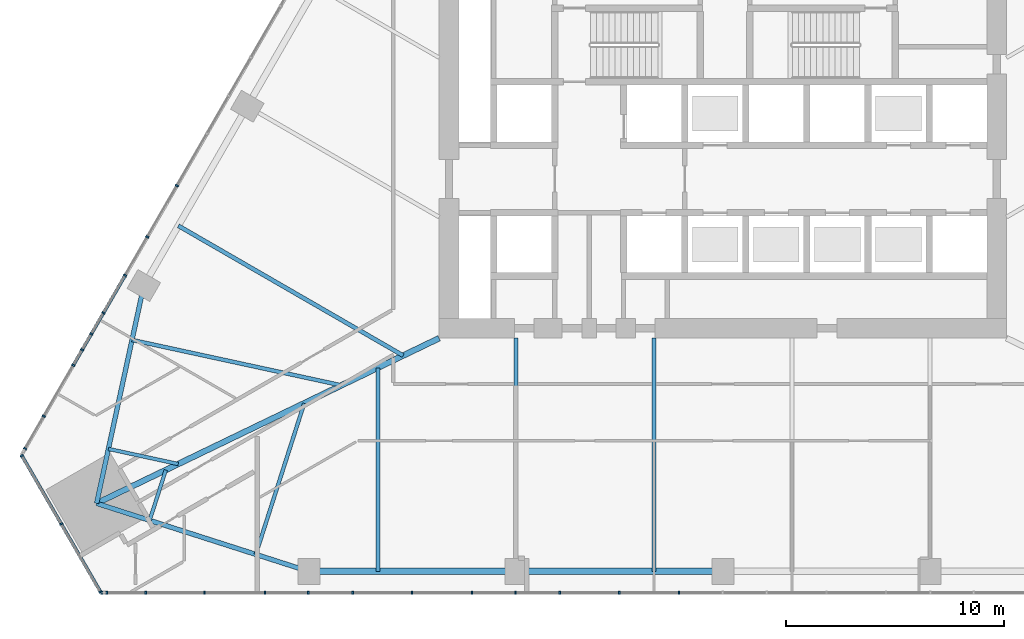
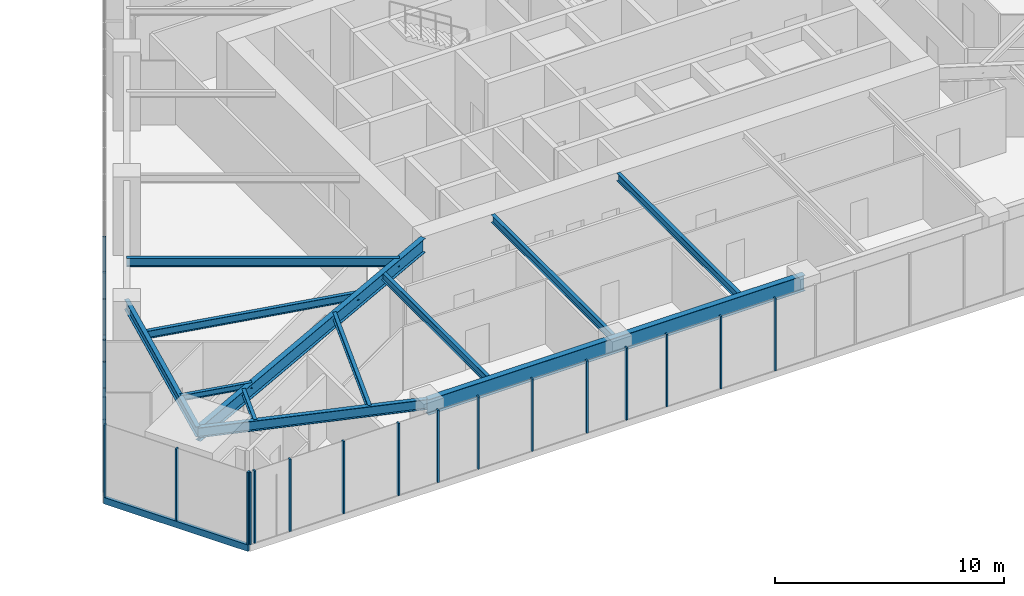
# One storey, part 2 of 26: 27 members, 12 beams, 3 elements without a shape of their own.
"""IFC4 building model written with IfcOpenShell, lengths in metres."""

from ifc_helpers import new_model, si_unit, direction, frame, origin, origin_2d, place, context, subcontext, project, spatial, rectangle, i_section, extrude, material, layer, layer_set, material_profile, profile_set, type_object, element, aggregate, save


model = new_model("IFC4")

# Units and contexts
model_context = context("Model", 3, precision=1e-05, world=origin(), true_north=direction((0.0, 1.0)))
body_context = subcontext(model_context, "Body", "Model", "MODEL_VIEW")
ifc_project = project(units=[si_unit("LENGTHUNIT", "METRE"), si_unit("AREAUNIT", "SQUARE_METRE"), si_unit("VOLUMEUNIT", "CUBIC_METRE"), si_unit("PLANEANGLEUNIT", "RADIAN"), si_unit("MASSUNIT", "GRAM", prefix="KILO")], contexts=[model_context])

# Site, building, storey
site_placement = place(None, origin())
site = spatial("IfcSite", under=ifc_project, at=site_placement, CompositionType="ELEMENT")
building_placement = place(site_placement, origin())
building = spatial("IfcBuilding", under=site, at=building_placement, Name="Firuza Gate Tower and Library", CompositionType="ELEMENT")
storey_placement = place(building_placement, frame((0.0, 0.0, 77.800048828125)))
storey = spatial("IfcBuildingStorey", under=building, at=storey_placement, Name="L17", CompositionType="ELEMENT", Elevation=77.800048828125)

# Curtain wall, members
ifc_material_1 = material(Name="Aluminium 6063-T6", Category="aluminium")
ifc_layer_1 = layer(ifc_material_1, 0.14990234375)
ifc_layer_set_1 = layer_set([ifc_layer_1], Name="Unitised curtain wall, offices")
curtain_wall_type_1 = type_object("IfcCurtainWallType", Name="Unitised curtain wall, offices", PredefinedType="NOTDEFINED", material=ifc_layer_set_1)
placement = place(storey_placement, origin())
curtain_wall_1 = element("IfcCurtainWall", 1, at=placement, inside=storey, type_object=curtain_wall_type_1, Name="CW1 L17 S face", PredefinedType="NOTDEFINED")
ifc_material_2 = material(Name="Aluminium 6063-T6", Category="aluminium")
ifc_material_profile_1 = material_profile(ifc_material_2, rectangle(XDim=0.14990234375, YDim=0.080078125, at=origin_2d()))
ifc_profile_set_1 = profile_set([ifc_material_profile_1], Name="Aluminium 6063-T6")
member_type_1 = type_object("IfcMemberType", Name="Curtain wall mullion 80x150", PredefinedType="MULLION", material=ifc_profile_set_1)
member_1_placement = place(storey_placement, frame((46.540771484375, 54.339111328125, 0.14990234375), z_axis=(0.0, 0.0, 1.0), x_axis=(0.0, 1.0, 0.0)))
member_1 = element("IfcMember", 2, at=member_1_placement, type_object=member_type_1, Name="Mullion", PredefinedType="MULLION", context=body_context, shape_type="SweptSolid", body=[
    extrude(rectangle(XDim=0.14990234375, YDim=0.080078125, at=origin_2d()), origin(), (0.0, 0.0, 1.0), 3.85009765625),
])
member_2_placement = place(storey_placement, frame((51.250732421875, 54.339111328125, 0.14990234375), z_axis=(0.0, 0.0, 1.0), x_axis=(0.0, 1.0, 0.0)))
member_2 = element("IfcMember", 3, at=member_2_placement, type_object=member_type_1, Name="Mullion", PredefinedType="MULLION", context=body_context, shape_type="SweptSolid", body=[
    extrude(rectangle(XDim=0.14990234375, YDim=0.080078125, at=origin_2d()), origin(), (0.0, 0.0, 1.0), 3.85009765625),
])
member_3_placement = place(storey_placement, frame((56.00048828125, 54.339111328125, 0.14990234375), z_axis=(0.0, 0.0, 1.0), x_axis=(0.0, 1.0, 0.0)))
member_3 = element("IfcMember", 4, at=member_3_placement, type_object=member_type_1, Name="Mullion", PredefinedType="MULLION", context=body_context, shape_type="SweptSolid", body=[
    extrude(rectangle(XDim=0.14990234375, YDim=0.080078125, at=origin_2d()), origin(), (0.0, 0.0, 1.0), 3.85009765625),
])
member_4_placement = place(storey_placement, frame((60.75048828125, 54.339111328125, 0.14990234375), z_axis=(0.0, 0.0, 1.0), x_axis=(0.0, 1.0, 0.0)))
member_4 = element("IfcMember", 5, at=member_4_placement, type_object=member_type_1, Name="Mullion", PredefinedType="MULLION", context=body_context, shape_type="SweptSolid", body=[
    extrude(rectangle(XDim=0.14990234375, YDim=0.080078125, at=origin_2d()), origin(), (0.0, 0.0, 1.0), 3.85009765625),
])
member_5_placement = place(storey_placement, frame((65.500244140625, 54.339111328125, 0.14990234375), z_axis=(0.0, 0.0, 1.0), x_axis=(0.0, 1.0, 0.0)))
member_5 = element("IfcMember", 6, at=member_5_placement, type_object=member_type_1, Name="Mullion", PredefinedType="MULLION", context=body_context, shape_type="SweptSolid", body=[
    extrude(rectangle(XDim=0.14990234375, YDim=0.080078125, at=origin_2d()), origin(), (0.0, 0.0, 1.0), 3.85009765625),
])
member_6_placement = place(storey_placement, frame((70.250244140625, 54.339111328125, 0.14990234375), z_axis=(0.0, 0.0, 1.0), x_axis=(0.0, 1.0, 0.0)))
member_6 = element("IfcMember", 7, at=member_6_placement, type_object=member_type_1, Name="Mullion", PredefinedType="MULLION", context=body_context, shape_type="SweptSolid", body=[
    extrude(rectangle(XDim=0.14990234375, YDim=0.080078125, at=origin_2d()), origin(), (0.0, 0.0, 1.0), 3.85009765625),
])
member_7_placement = place(storey_placement, frame((46.766845703125, 54.339111328125, 0.14990234375), z_axis=(0.0, 0.0, 1.0), x_axis=(0.0, 1.0, 0.0)))
member_7 = element("IfcMember", 8, at=member_7_placement, type_object=member_type_1, Name="Mullion", PredefinedType="MULLION", context=body_context, shape_type="SweptSolid", body=[
    extrude(rectangle(XDim=0.14990234375, YDim=0.080078125, at=origin_2d()), origin(), (0.0, 0.0, 1.0), 3.85009765625),
])
member_8_placement = place(storey_placement, frame((48.55322265625, 54.339111328125, 0.14990234375), z_axis=(0.0, 0.0, 1.0), x_axis=(0.0, 1.0, 0.0)))
member_8 = element("IfcMember", 9, at=member_8_placement, type_object=member_type_1, Name="Mullion", PredefinedType="MULLION", context=body_context, shape_type="SweptSolid", body=[
    extrude(rectangle(XDim=0.14990234375, YDim=0.080078125, at=origin_2d()), origin(), (0.0, 0.0, 1.0), 3.85009765625),
])
member_9_placement = place(storey_placement, frame((54.020263671875, 54.339111328125, 0.14990234375), z_axis=(0.0, 0.0, 1.0), x_axis=(0.0, 1.0, 0.0)))
member_9 = element("IfcMember", 10, at=member_9_placement, type_object=member_type_1, Name="Mullion", PredefinedType="MULLION", context=body_context, shape_type="SweptSolid", body=[
    extrude(rectangle(XDim=0.14990234375, YDim=0.080078125, at=origin_2d()), origin(), (0.0, 0.0, 1.0), 3.85009765625),
])
member_10_placement = place(storey_placement, frame((58.03857421875, 54.339111328125, 0.14990234375), z_axis=(0.0, 0.0, 1.0), x_axis=(0.0, 1.0, 0.0)))
member_10 = element("IfcMember", 11, at=member_10_placement, type_object=member_type_1, Name="Mullion", PredefinedType="MULLION", context=body_context, shape_type="SweptSolid", body=[
    extrude(rectangle(XDim=0.14990234375, YDim=0.080078125, at=origin_2d()), origin(), (0.0, 0.0, 1.0), 3.85009765625),
])
member_11_placement = place(storey_placement, frame((63.505615234375, 54.339111328125, 0.14990234375), z_axis=(0.0, 0.0, 1.0), x_axis=(0.0, 1.0, 0.0)))
member_11 = element("IfcMember", 12, at=member_11_placement, type_object=member_type_1, Name="Mullion", PredefinedType="MULLION", context=body_context, shape_type="SweptSolid", body=[
    extrude(rectangle(XDim=0.14990234375, YDim=0.080078125, at=origin_2d()), origin(), (0.0, 0.0, 1.0), 3.85009765625),
])
member_12_placement = place(storey_placement, frame((67.523681640625, 54.339111328125, 0.14990234375), z_axis=(0.0, 0.0, 1.0), x_axis=(0.0, 1.0, 0.0)))
member_12 = element("IfcMember", 13, at=member_12_placement, type_object=member_type_1, Name="Mullion", PredefinedType="MULLION", context=body_context, shape_type="SweptSolid", body=[
    extrude(rectangle(XDim=0.14990234375, YDim=0.080078125, at=origin_2d()), origin(), (0.0, 0.0, 1.0), 3.85009765625),
])
member_13_placement = place(storey_placement, frame((72.990966796875, 54.339111328125, 0.14990234375), z_axis=(0.0, 0.0, 1.0), x_axis=(0.0, 1.0, 0.0)))
member_13 = element("IfcMember", 14, at=member_13_placement, type_object=member_type_1, Name="Mullion", PredefinedType="MULLION", context=body_context, shape_type="SweptSolid", body=[
    extrude(rectangle(XDim=0.14990234375, YDim=0.080078125, at=origin_2d()), origin(), (0.0, 0.0, 1.0), 3.85009765625),
])
aggregate(curtain_wall_1, [member_1, member_2, member_3, member_4, member_5, member_6, member_7, member_8, member_9, member_10, member_11, member_12, member_13])

curtain_wall_2 = element("IfcCurtainWall", 15, at=placement, inside=storey, type_object=curtain_wall_type_1, Name="CW1 L17 W face", PredefinedType="NOTDEFINED")
member_14_placement = place(storey_placement, frame((49.982177734375, 72.989990234375, 0.14990234375), z_axis=(0.0, 0.0, 1.0), x_axis=(0.866025403784, -0.5, 0.0)))
member_14 = element("IfcMember", 16, at=member_14_placement, type_object=member_type_1, Name="Mullion", PredefinedType="MULLION", context=body_context, shape_type="SweptSolid", body=[
    extrude(rectangle(XDim=0.14990234375, YDim=0.080078125, at=origin_2d()), origin(), (0.0, 0.0, 1.0), 3.85009765625),
])
member_15_placement = place(storey_placement, frame((47.607421875, 68.87646484375, 0.14990234375), z_axis=(0.0, 0.0, 1.0), x_axis=(0.866025403784, -0.5, 0.0)))
member_15 = element("IfcMember", 17, at=member_15_placement, type_object=member_type_1, Name="Mullion", PredefinedType="MULLION", context=body_context, shape_type="SweptSolid", body=[
    extrude(rectangle(XDim=0.14990234375, YDim=0.080078125, at=origin_2d()), origin(), (0.0, 0.0, 1.0), 3.85009765625),
])
member_16_placement = place(storey_placement, frame((45.232421875, 64.762939453125, 0.14990234375), z_axis=(0.0, 0.0, 1.0), x_axis=(0.866025403784, -0.5, 0.0)))
member_16 = element("IfcMember", 18, at=member_16_placement, type_object=member_type_1, Name="Mullion", PredefinedType="MULLION", context=body_context, shape_type="SweptSolid", body=[
    extrude(rectangle(XDim=0.14990234375, YDim=0.080078125, at=origin_2d()), origin(), (0.0, 0.0, 1.0), 3.85009765625),
])
member_17_placement = place(storey_placement, frame((48.626220703125, 70.641357421875, 0.14990234375), z_axis=(0.0, 0.0, 1.0), x_axis=(0.866025403784, -0.5, 0.0)))
member_17 = element("IfcMember", 19, at=member_17_placement, type_object=member_type_1, Name="Mullion", PredefinedType="MULLION", context=body_context, shape_type="SweptSolid", body=[
    extrude(rectangle(XDim=0.14990234375, YDim=0.080078125, at=origin_2d()), origin(), (0.0, 0.0, 1.0), 3.85009765625),
])
member_18_placement = place(storey_placement, frame((46.6171875, 67.16162109375, 0.14990234375), z_axis=(0.0, 0.0, 1.0), x_axis=(0.866025403784, -0.5, 0.0)))
member_18 = element("IfcMember", 20, at=member_18_placement, type_object=member_type_1, Name="Mullion", PredefinedType="MULLION", context=body_context, shape_type="SweptSolid", body=[
    extrude(rectangle(XDim=0.14990234375, YDim=0.080078125, at=origin_2d()), origin(), (0.0, 0.0, 1.0), 1.885009765625),
])
member_19_placement = place(storey_placement, frame((45.63818359375, 65.4658203125, 0.14990234375), z_axis=(0.0, 0.0, 1.0), x_axis=(0.866025403784, -0.5, 0.0)))
member_19 = element("IfcMember", 21, at=member_19_placement, type_object=member_type_1, Name="Mullion", PredefinedType="MULLION", context=body_context, shape_type="SweptSolid", body=[
    extrude(rectangle(XDim=0.14990234375, YDim=0.080078125, at=origin_2d()), origin(), (0.0, 0.0, 1.0), 1.885009765625),
])
member_20_placement = place(storey_placement, frame((46.0625, 66.20068359375, 2.114990234375), z_axis=(0.0, 0.0, 1.0), x_axis=(0.866025403784, -0.5, 0.0)))
member_20 = element("IfcMember", 22, at=member_20_placement, type_object=member_type_1, Name="Mullion", PredefinedType="MULLION", context=body_context, shape_type="SweptSolid", body=[
    extrude(rectangle(XDim=0.14990234375, YDim=0.080078125, at=origin_2d()), origin(), (0.0, 0.0, 1.0), 1.885009765625),
])
member_21_placement = place(storey_placement, frame((43.8837890625, 62.4267578125, 0.14990234375), z_axis=(0.0, 0.0, 1.0), x_axis=(0.866025403784, -0.5, 0.0)))
member_21 = element("IfcMember", 23, at=member_21_placement, type_object=member_type_1, Name="Mullion", PredefinedType="MULLION", context=body_context, shape_type="SweptSolid", body=[
    extrude(rectangle(XDim=0.14990234375, YDim=0.080078125, at=origin_2d()), origin(), (0.0, 0.0, 1.0), 3.85009765625),
])
member_22_placement = place(storey_placement, frame((43.023193359375, 60.936279296875, 0.14990234375), z_axis=(0.0, 0.0, 1.0), x_axis=(0.866025403784, -0.5, 0.0)))
member_22 = element("IfcMember", 24, at=member_22_placement, type_object=member_type_1, Name="Mullion", PredefinedType="MULLION", context=body_context, shape_type="SweptSolid", body=[
    extrude(rectangle(XDim=0.14990234375, YDim=0.080078125, at=origin_2d()), origin(), (0.0, 0.0, 1.0), 3.85009765625),
])

ifc_material_3 = material(Name="Aluminium 6063-T6", Category="aluminium")
ifc_layer_2 = layer(ifc_material_3, 0.14990234375)
ifc_layer_set_2 = layer_set([ifc_layer_2], Name="Corner curtain wall, chamfers")
curtain_wall_type_2 = type_object("IfcCurtainWallType", Name="Corner curtain wall, chamfers", PredefinedType="NOTDEFINED", material=ifc_layer_set_2)
curtain_wall_3 = element("IfcCurtainWall", 25, at=placement, inside=storey, type_object=curtain_wall_type_2, Name="CW4 L17 SW corner", PredefinedType="NOTDEFINED")
member_23_placement = place(storey_placement, frame((42.87744140625, 60.61474609375, 0.14990234375), z_axis=(0.0, 0.0, 1.0), x_axis=(0.866025403784, 0.5, 0.0)))
member_23 = element("IfcMember", 26, at=member_23_placement, type_object=member_type_1, Name="Mullion", PredefinedType="MULLION", context=body_context, shape_type="SweptSolid", body=[
    extrude(rectangle(XDim=0.14990234375, YDim=0.080078125, at=origin_2d()), origin(), (0.0, 0.0, 1.0), 3.85009765625),
])
member_24_placement = place(storey_placement, frame((44.67919921875, 57.494140625, 0.14990234375), z_axis=(0.0, 0.0, 1.0), x_axis=(0.866025403784, 0.5, 0.0)))
member_24 = element("IfcMember", 27, at=member_24_placement, type_object=member_type_1, Name="Mullion", PredefinedType="MULLION", context=body_context, shape_type="SweptSolid", body=[
    extrude(rectangle(XDim=0.14990234375, YDim=0.080078125, at=origin_2d()), origin(), (0.0, 0.0, 1.0), 3.85009765625),
])
member_25_placement = place(storey_placement, frame((46.480712890625, 54.373779296875, 0.14990234375), z_axis=(0.0, 0.0, 1.0), x_axis=(0.866025403784, 0.5, 0.0)))
member_25 = element("IfcMember", 28, at=member_25_placement, type_object=member_type_1, Name="Mullion", PredefinedType="MULLION", context=body_context, shape_type="SweptSolid", body=[
    extrude(rectangle(XDim=0.14990234375, YDim=0.080078125, at=origin_2d()), origin(), (0.0, 0.0, 1.0), 3.85009765625),
])
ifc_material_4 = material(Name="Aluminium 6063-T6", Category="aluminium")
ifc_material_profile_2 = material_profile(ifc_material_4, rectangle(XDim=0.14990234375, YDim=0.35009765625, at=origin_2d()))
ifc_profile_set_2 = profile_set([ifc_material_profile_2], Name="Aluminium 6063-T6")
member_type_2 = type_object("IfcMemberType", Name="Curtain wall transom 350x150", PredefinedType="USERDEFINED", material=ifc_profile_set_2)
member_26_placement = place(storey_placement, frame((42.857421875, 60.6494140625, -0.025146484375), z_axis=(0.500005719219, -0.866022101766, 0.0), x_axis=(0.866022101766, 0.500005719219, 0.0)))
member_26 = element("IfcMember", 29, at=member_26_placement, type_object=member_type_2, Name="Transom", ObjectType="TRANSOM", PredefinedType="USERDEFINED", context=body_context, shape_type="SweptSolid", body=[
    extrude(rectangle(XDim=0.14990234375, YDim=0.35009765625, at=origin_2d()), origin(), (0.0, 0.0, 1.0), 7.28662109375),
])
aggregate(curtain_wall_3, [member_23, member_24, member_25, member_26])

# Member
ifc_material_5 = material(Name="Aluminium 6063-T6", Category="aluminium")
ifc_material_profile_3 = material_profile(ifc_material_5, rectangle(XDim=0.14990234375, YDim=0.080078125, at=origin_2d()))
ifc_profile_set_3 = profile_set([ifc_material_profile_3], Name="Aluminium 6063-T6")
member_type_3 = type_object("IfcMemberType", Name="Curtain wall transom 80x150", PredefinedType="USERDEFINED", material=ifc_profile_set_3)
member_27_placement = place(storey_placement, frame((47.58740234375, 68.841796875, 2.074951171875), z_axis=(-0.500007559336, -0.866021039356, 0.0), x_axis=(0.866021039356, -0.500007559336, 0.0)))
member_27 = element("IfcMember", 30, at=member_27_placement, type_object=member_type_3, Name="Transom", ObjectType="TRANSOM", PredefinedType="USERDEFINED", context=body_context, shape_type="SweptSolid", body=[
    extrude(rectangle(XDim=0.14990234375, YDim=0.080078125, at=origin_2d()), origin(), (0.0, 0.0, 1.0), 4.669921875),
])

aggregate(curtain_wall_2, [member_14, member_15, member_16, member_17, member_18, member_19, member_20, member_27, member_21, member_22])

# Beams
ifc_material_6 = material(Name="Steel S355", Category="steel")
ifc_material_profile_4 = material_profile(ifc_material_6, i_section(OverallWidth=0.1650390625, OverallDepth=0.31005859375, WebThickness=0.005859375, FlangeThickness=0.009765625, at=origin_2d()))
ifc_profile_set_4 = profile_set([ifc_material_profile_4], Name="Steel S355")
beam_type_1 = type_object("IfcBeamType", Name="W310x39 Floor beam", PredefinedType="JOIST", material=ifc_profile_set_4)
beam_1_placement = place(storey_placement, frame((46.84375, 60.92724609375, 3.844970703125), z_axis=(0.97732159581, -0.211760474035, 0.0), x_axis=(0.211760474035, 0.97732159581, 0.0)))
element("IfcBeam", 31, at=beam_1_placement, inside=storey, type_object=beam_type_1, Name="Floor beam L17 s01", PredefinedType="JOIST", context=body_context, shape_type="SweptSolid", body=[
    extrude(i_section(OverallWidth=0.1650390625, OverallDepth=0.31005859375, WebThickness=0.005859375, FlangeThickness=0.009765625, at=origin_2d()), origin(), (0.0, 0.0, 1.0), 3.27197265625),
])
beam_2_placement = place(storey_placement, frame((48.734619140625, 57.65234375, 3.844970703125), z_axis=(0.305239756839, 0.952275533049, 0.0), x_axis=(-0.952275533049, 0.305239756839, 0.0)))
element("IfcBeam", 32, at=beam_2_placement, inside=storey, type_object=beam_type_1, Name="Floor beam L17 s10", PredefinedType="JOIST", context=body_context, shape_type="SweptSolid", body=[
    extrude(i_section(OverallWidth=0.1650390625, OverallDepth=0.31005859375, WebThickness=0.005859375, FlangeThickness=0.009765625, at=origin_2d()), origin(), (0.0, 0.0, 1.0), 2.42431640625),
])
ifc_material_7 = material(Name="Steel S355", Category="steel")
ifc_material_profile_5 = material_profile(ifc_material_7, i_section(OverallWidth=0.1708984375, OverallDepth=0.35498046875, WebThickness=0.007080078125, FlangeThickness=0.01171875, at=origin_2d()))
ifc_profile_set_5 = profile_set([ifc_material_profile_5], Name="Steel S355")
beam_type_2 = type_object("IfcBeamType", Name="W360x51 Floor beam", PredefinedType="JOIST", material=ifc_profile_set_5)
beam_3_placement = place(storey_placement, frame((53.597900390625, 56.093505859375, 3.822509765625), z_axis=(0.305239756839, 0.952275533049, 0.0), x_axis=(-0.952275533049, 0.305239756839, 0.0)))
element("IfcBeam", 33, at=beam_3_placement, inside=storey, type_object=beam_type_2, Name="Floor beam L17 s11", PredefinedType="JOIST", context=body_context, shape_type="SweptSolid", body=[
    extrude(i_section(OverallWidth=0.1708984375, OverallDepth=0.35498046875, WebThickness=0.007080078125, FlangeThickness=0.01171875, at=origin_2d()), origin(), (0.0, 0.0, 1.0), 7.27294921875),
])
ifc_material_8 = material(Name="Steel S355", Category="steel")
ifc_material_profile_6 = material_profile(ifc_material_8, i_section(OverallWidth=0.177978515625, OverallDepth=0.406982421875, WebThickness=0.0078125, FlangeThickness=0.0126953125, at=origin_2d()))
ifc_profile_set_6 = profile_set([ifc_material_profile_6], Name="Steel S355")
beam_type_3 = type_object("IfcBeamType", Name="W410x60 Floor beam", PredefinedType="JOIST", material=ifc_profile_set_6)
beam_4_placement = place(storey_placement, frame((47.92529296875, 65.91845703125, 3.79638671875), z_axis=(0.9773124156, -0.211802838306, 0.0), x_axis=(0.211802838306, 0.9773124156, 0.0)))
element("IfcBeam", 34, at=beam_4_placement, inside=storey, type_object=beam_type_3, Name="Floor beam L17 s00", PredefinedType="JOIST", context=body_context, shape_type="SweptSolid", body=[
    extrude(i_section(OverallWidth=0.177978515625, OverallDepth=0.406982421875, WebThickness=0.0078125, FlangeThickness=0.0126953125, at=origin_2d()), origin(), (0.0, 0.0, 1.0), 9.816162109375),
])
beam_5_placement = place(storey_placement, frame((59.191162109375, 55.31396484375, 3.79638671875), z_axis=(0.0, 1.0, 0.0), x_axis=(-1.0, 0.0, 0.0)))
element("IfcBeam", 35, at=beam_5_placement, inside=storey, type_object=beam_type_3, Name="Floor beam L17 s20", PredefinedType="JOIST", context=body_context, shape_type="SweptSolid", body=[
    extrude(i_section(OverallWidth=0.177978515625, OverallDepth=0.406982421875, WebThickness=0.0078125, FlangeThickness=0.0126953125, at=origin_2d()), origin(), (0.0, 0.0, 1.0), 9.331787109375),
])
for number, where, z_axis, x_axis, name in (
    (36, (65.5146484375, 55.31396484375, 3.79638671875), (0.0, 1.0, 0.0), (-1.0, 0.0, 0.0), "Floor beam L17 s21"),
    (37, (71.838134765625, 55.31396484375, 3.79638671875), (0.0, 1.0, 0.0), (-1.0, 0.0, 0.0), "Floor beam L17 s22"),
):
    element("IfcBeam", number, at=place(storey_placement, frame(where, z_axis=z_axis, x_axis=x_axis)), inside=storey, type_object=beam_type_3, Name=name, PredefinedType="JOIST", context=body_context, shape_type="SweptSolid", body=[
        extrude(i_section(OverallWidth=0.177978515625, OverallDepth=0.406982421875, WebThickness=0.0078125, FlangeThickness=0.0126953125, at=origin_2d()), origin(), (0.0, 0.0, 1.0), 10.68603515625),
    ])
ifc_material_9 = material(Name="Steel S355", Category="steel")
ifc_material_profile_7 = material_profile(ifc_material_9, i_section(OverallWidth=0.18994140625, OverallDepth=0.45703125, WebThickness=0.009033203125, FlangeThickness=0.014404296875, at=origin_2d()))
ifc_profile_set_7 = profile_set([ifc_material_profile_7], Name="Steel S355")
beam_type_4 = type_object("IfcBeamType", Name="W460x74 Floor beam", PredefinedType="JOIST", material=ifc_profile_set_7)
beam_6_placement = place(storey_placement, frame((50.047119140625, 71.152099609375, 3.771484375), z_axis=(0.866025640697, -0.499999589656, 0.0), x_axis=(0.499999589656, 0.866025640697, 0.0)))
element("IfcBeam", 38, at=beam_6_placement, inside=storey, type_object=beam_type_4, Name="Floor beam L17 s85", PredefinedType="JOIST", context=body_context, shape_type="SweptSolid", body=[
    extrude(i_section(OverallWidth=0.18994140625, OverallDepth=0.45703125, WebThickness=0.009033203125, FlangeThickness=0.014404296875, at=origin_2d()), origin(), (0.0, 0.0, 1.0), 11.89599609375),
])
ifc_material_10 = material(Name="Steel S355", Category="steel")
ifc_material_profile_8 = material_profile(ifc_material_10, i_section(OverallWidth=0.212890625, OverallDepth=0.5390625, WebThickness=0.01171875, FlangeThickness=0.018798828125, at=origin_2d()))
ifc_profile_set_8 = profile_set([ifc_material_profile_8], Name="Steel S355")
beam_type_5 = type_object("IfcBeamType", Name="W530x109 Edge beam", PredefinedType="SPANDREL", material=ifc_profile_set_8)
beam_7_placement = place(storey_placement, frame((48.466064453125, 68.4140625, 3.73046875), z_axis=(-0.211774655481, -0.977318522947, 0.0), x_axis=(0.977318522947, -0.211774655481, 0.0)))
element("IfcBeam", 39, at=beam_7_placement, inside=storey, type_object=beam_type_5, Name="Edge beam L17 e00", PredefinedType="SPANDREL", context=body_context, shape_type="SweptSolid", body=[
    extrude(i_section(OverallWidth=0.212890625, OverallDepth=0.5390625, WebThickness=0.01171875, FlangeThickness=0.018798828125, at=origin_2d()), origin(), (0.0, 0.0, 1.0), 10.214111328125),
])
beam_8_placement = place(storey_placement, frame((46.302978515625, 58.431640625, 3.73046875), z_axis=(0.952274716719, -0.305242303584, 0.0), x_axis=(0.305242303584, 0.952274716719, 0.0)))
element("IfcBeam", 40, at=beam_8_placement, inside=storey, type_object=beam_type_5, Name="Edge beam L17 e10", PredefinedType="SPANDREL", context=body_context, shape_type="SweptSolid", body=[
    extrude(i_section(OverallWidth=0.212890625, OverallDepth=0.5390625, WebThickness=0.01171875, FlangeThickness=0.018798828125, at=origin_2d()), origin(), (0.0, 0.0, 1.0), 10.2138671875),
])
ifc_material_11 = material(Name="Steel S355", Category="steel")
ifc_material_profile_9 = material_profile(ifc_material_11, i_section(OverallWidth=0.264892578125, OverallDepth=0.7529296875, WebThickness=0.01318359375, FlangeThickness=0.01708984375, at=origin_2d()))
ifc_profile_set_9 = profile_set([ifc_material_profile_9], Name="Steel S355")
beam_type_6 = type_object("IfcBeamType", Name="W760x147 Girder", PredefinedType="BEAM", material=ifc_profile_set_9)
beam_9_placement = place(storey_placement, frame((46.302978515625, 58.431640625, 3.62353515625), z_axis=(0.900765255898, 0.434306290269, 0.0), x_axis=(-0.434306290269, 0.900765255898, 0.0)))
element("IfcBeam", 41, at=beam_9_placement, inside=storey, type_object=beam_type_6, Name="Girder L17 gSW", PredefinedType="BEAM", context=body_context, shape_type="SweptSolid", body=[
    extrude(i_section(OverallWidth=0.264892578125, OverallDepth=0.7529296875, WebThickness=0.01318359375, FlangeThickness=0.01708984375, at=origin_2d()), origin(), (0.0, 0.0, 1.0), 17.42626953125),
])
ifc_material_12 = material(Name="Steel S355", Category="steel")
ifc_material_profile_10 = material_profile(ifc_material_12, i_section(OverallWidth=0.2919921875, OverallDepth=0.8349609375, WebThickness=0.013916015625, FlangeThickness=0.018798828125, at=origin_2d()))
ifc_profile_set_10 = profile_set([ifc_material_profile_10], Name="Steel S355")
beam_type_7 = type_object("IfcBeamType", Name="W840x176 Edge beam", PredefinedType="SPANDREL", material=ifc_profile_set_10)
beam_10_placement = place(storey_placement, frame((56.029296875, 55.31396484375, 3.58251953125), z_axis=(1.0, 0.0, 0.0), x_axis=(0.0, 1.0, 0.0)))
element("IfcBeam", 42, at=beam_10_placement, inside=storey, type_object=beam_type_7, Name="Edge beam L17 e20", PredefinedType="SPANDREL", context=body_context, shape_type="SweptSolid", body=[
    extrude(i_section(OverallWidth=0.2919921875, OverallDepth=0.8349609375, WebThickness=0.013916015625, FlangeThickness=0.018798828125, at=origin_2d()), origin(), (0.0, 0.0, 1.0), 18.970703125),
])

save(model, "model.ifc")
